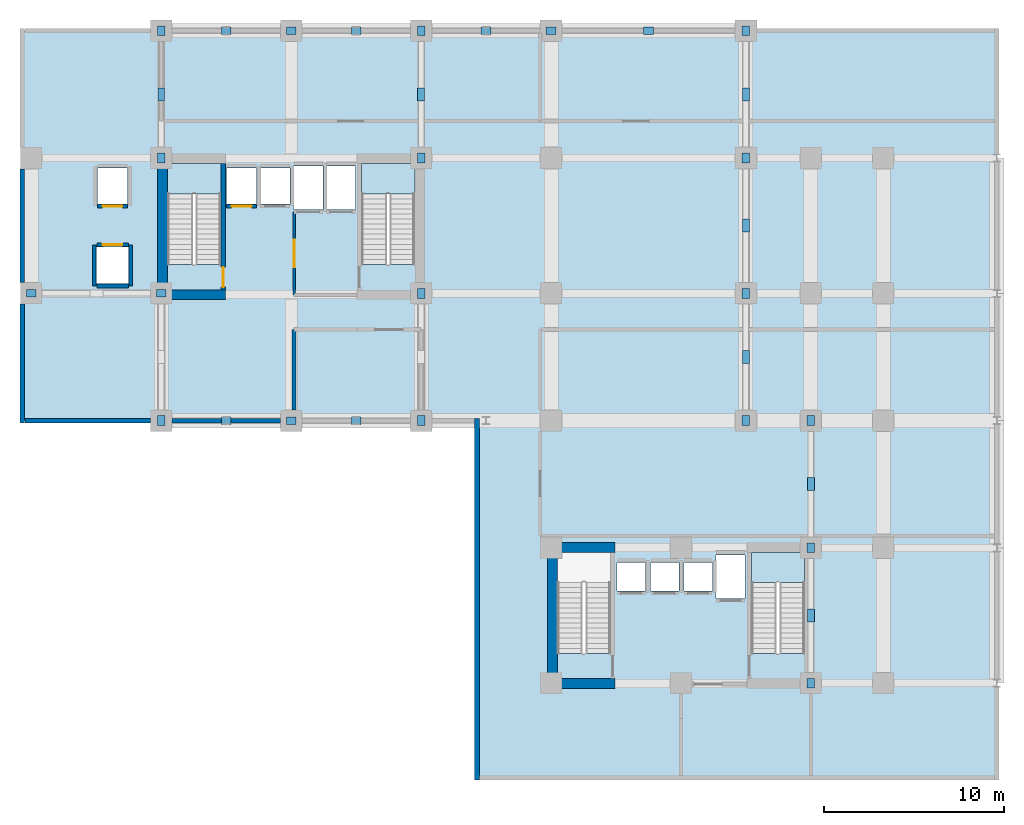
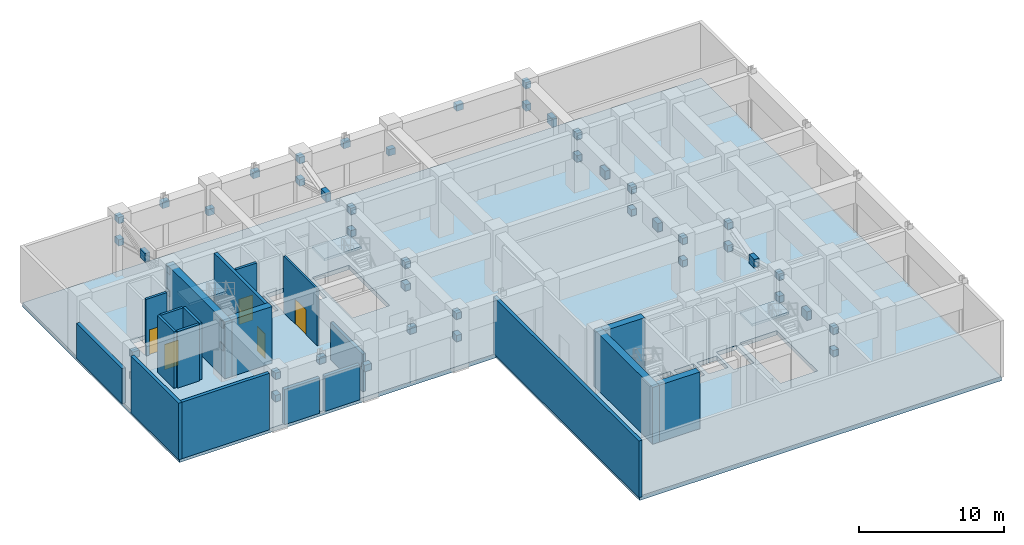
# One storey, part 3 of 8: 48 plates, 20 walls, 5 doors, 4 slabs, 5 openings, 3 elements without a shape of their own.
"""IFC4 building model written with IfcOpenShell, lengths in metres."""

from ifc_helpers import new_model, si_unit, direction, frame, frame_2d, origin, origin_2d, place, context, subcontext, project, spatial, polyline, rectangle, outline, extrude, source, transform, mapped, material, layer, layer_set, type_object, element, fill, aggregate, save


model = new_model("IFC4")

# Units and contexts
model_context = context("Model", 3, precision=1e-05, world=origin(), true_north=direction((0.0, 1.0)))
body_context = subcontext(model_context, "Body", "Model", "MODEL_VIEW")
ifc_project = project(units=[si_unit("LENGTHUNIT", "METRE"), si_unit("AREAUNIT", "SQUARE_METRE"), si_unit("VOLUMEUNIT", "CUBIC_METRE"), si_unit("PLANEANGLEUNIT", "RADIAN"), si_unit("MASSUNIT", "GRAM", prefix="KILO")], contexts=[model_context])

# Site, building, storey
site_placement = place(None, origin())
site = spatial("IfcSite", under=ifc_project, at=site_placement, CompositionType="ELEMENT")
building_placement = place(site_placement, origin())
building = spatial("IfcBuilding", under=site, at=building_placement, Name="Kaliganga Portal Commons", CompositionType="ELEMENT")
storey_placement = place(building_placement, frame((0.0, 0.0, 130.39990234375)))
storey = spatial("IfcBuildingStorey", under=building, at=storey_placement, Name="L33", CompositionType="ELEMENT", Elevation=130.39990234375)

# Slab
ifc_material_1 = material(Name="Concrete C60/75", Category="concrete")
ifc_layer_1 = layer(ifc_material_1, 0.360107421875)
ifc_layer_set_1 = layer_set([ifc_layer_1], Name="Concrete C60/75")
slab_type_1 = type_object("IfcSlabType", Name="SLB-OUTRIG-360", PredefinedType="FLOOR", material=ifc_layer_set_1)
slab_1_placement = place(storey_placement, frame((0.0, 0.0, -0.35986328125)))
element("IfcSlab", 1, at=slab_1_placement, inside=storey, type_object=slab_type_1, Name="Structural Floor Slab L33", PredefinedType="FLOOR", context=body_context, shape_type="SweptSolid", body=[
    extrude(outline(polyline([(31.89990234375, 1.800048828125), (60.699951171875, 1.800048828125), (60.699951171875, 43.199951171875), (6.699951171875, 43.199951171875), (6.699951171875, 21.60009765625), (31.89990234375, 21.60009765625), (31.89990234375, 1.800048828125)]), holes=[polyline([(14.75, 30.25390625), (14.75, 35.85009765625), (17.699951171875, 35.85009765625), (17.699951171875, 30.25390625), (14.75, 30.25390625)]), polyline([(25.5, 30.25390625), (25.5, 35.85009765625), (28.449951171875, 35.85009765625), (28.449951171875, 30.25390625), (25.5, 30.25390625)]), polyline([(36.35009765625, 8.7041015625), (36.35009765625, 14.300048828125), (39.300048828125, 14.300048828125), (39.300048828125, 8.7041015625), (36.35009765625, 8.7041015625)]), polyline([(47.10009765625, 8.7041015625), (47.10009765625, 14.300048828125), (50.050048828125, 14.300048828125), (50.050048828125, 8.7041015625), (47.10009765625, 8.7041015625)]), polyline([(18.014892578125, 33.614990234375), (18.014892578125, 35.5849609375), (19.68505859375, 35.5849609375), (19.68505859375, 33.614990234375), (18.014892578125, 33.614990234375)]), polyline([(19.864990234375, 33.614990234375), (19.864990234375, 35.5849609375), (21.534912109375, 35.5849609375), (21.534912109375, 33.614990234375), (19.864990234375, 33.614990234375)]), polyline([(10.81494140625, 29.18994140625), (10.81494140625, 31.2099609375), (12.5849609375, 31.2099609375), (12.5849609375, 29.18994140625), (10.81494140625, 29.18994140625)]), polyline([(10.864990234375, 33.614990234375), (10.864990234375, 35.5849609375), (12.534912109375, 35.5849609375), (12.534912109375, 33.614990234375), (10.864990234375, 33.614990234375)]), polyline([(21.739990234375, 33.2900390625), (21.739990234375, 35.7099609375), (23.360107421875, 35.7099609375), (23.360107421875, 33.2900390625), (21.739990234375, 33.2900390625)]), polyline([(23.5400390625, 33.2900390625), (23.5400390625, 35.7099609375), (25.159912109375, 35.7099609375), (25.159912109375, 33.2900390625), (23.5400390625, 33.2900390625)]), polyline([(39.6650390625, 12.1650390625), (39.6650390625, 13.735107421875), (41.235107421875, 13.735107421875), (41.235107421875, 12.1650390625), (39.6650390625, 12.1650390625)]), polyline([(41.514892578125, 12.1650390625), (41.514892578125, 13.735107421875), (43.0849609375, 13.735107421875), (43.0849609375, 12.1650390625), (41.514892578125, 12.1650390625)]), polyline([(43.364990234375, 12.1650390625), (43.364990234375, 13.735107421875), (44.93505859375, 13.735107421875), (44.93505859375, 12.1650390625), (43.364990234375, 12.1650390625)]), polyline([(45.139892578125, 11.739990234375), (45.139892578125, 14.159912109375), (46.760009765625, 14.159912109375), (46.760009765625, 11.739990234375), (45.139892578125, 11.739990234375)])]), origin(), (0.0, 0.0, 1.0), 0.35986328125),
])

# Stair, slab
ifc_material_2 = material(Name="Concrete C40/50", Category="concrete")
stair_type = type_object("IfcStairType", Name="ST-CORE-DOGLEG", PredefinedType="HALF_TURN_STAIR", material=ifc_material_2)
stair_1_placement = place(storey_placement, origin())
stair_1 = element("IfcStair", 2, at=stair_1_placement, inside=storey, type_object=stair_type, Name="L33 Protected Exit Stair ST-A1", PredefinedType="HALF_TURN_STAIR")
ifc_layer_2 = layer(ifc_material_2, 0.199951171875)
ifc_layer_set_2 = layer_set([ifc_layer_2], Name="Concrete C40/50")
slab_type_2 = type_object("IfcSlabType", Name="SLB-STAIR-LND", PredefinedType="LANDING", material=ifc_layer_set_2)
slab_2_placement = place(storey_placement, frame((0.0, 0.0, 2.400146484375)))
slab_2 = element("IfcSlab", 3, at=slab_2_placement, type_object=slab_type_2, Name="ST-A1 landing 1", PredefinedType="LANDING", context=body_context, shape_type="SweptSolid", body=[
    extrude(outline(polyline([(17.699951171875, 34.169921875), (17.699951171875, 35.85009765625), (14.75, 35.85009765625), (14.75, 34.169921875), (17.699951171875, 34.169921875)])), origin(), (0.0, 0.0, 1.0), 0.199951171875),
])
aggregate(stair_1, [slab_2])

stair_2_placement = place(storey_placement, origin())
stair_2 = element("IfcStair", 4, at=stair_2_placement, inside=storey, type_object=stair_type, Name="L33 Protected Exit Stair ST-A2", PredefinedType="HALF_TURN_STAIR")
slab_3_placement = place(storey_placement, frame((0.0, 0.0, 2.400146484375)))
slab_3 = element("IfcSlab", 5, at=slab_3_placement, type_object=slab_type_2, Name="ST-A2 landing 1", PredefinedType="LANDING", context=body_context, shape_type="SweptSolid", body=[
    extrude(outline(polyline([(28.449951171875, 34.169921875), (28.449951171875, 35.85009765625), (25.5, 35.85009765625), (25.5, 34.169921875), (28.449951171875, 34.169921875)])), origin(), (0.0, 0.0, 1.0), 0.199951171875),
])
aggregate(stair_2, [slab_3])

stair_3_placement = place(storey_placement, origin())
stair_3 = element("IfcStair", 6, at=stair_3_placement, inside=storey, type_object=stair_type, Name="L33 Protected Exit Stair ST-B2", PredefinedType="HALF_TURN_STAIR")
slab_4_placement = place(storey_placement, frame((0.0, 0.0, 2.400146484375)))
slab_4 = element("IfcSlab", 7, at=slab_4_placement, type_object=slab_type_2, Name="ST-B2 landing 1", PredefinedType="LANDING", context=body_context, shape_type="SweptSolid", body=[
    extrude(outline(polyline([(50.050048828125, 12.6201171875), (50.050048828125, 14.300048828125), (47.10009765625, 14.300048828125), (47.10009765625, 12.6201171875), (50.050048828125, 12.6201171875)])), origin(), (0.0, 0.0, 1.0), 0.199951171875),
])
aggregate(stair_3, [slab_4])

# Plates
ifc_material_3 = material(Name="Structural steel S460M", Category="steel")
ifc_layer_3 = layer(ifc_material_3, 0.031982421875)
ifc_layer_set_3 = layer_set([ifc_layer_3], Name="Structural steel S460M")
plate_type = type_object("IfcPlateType", Name="PLT-GUSSET-32", PredefinedType="USERDEFINED", material=ifc_layer_set_3)
shared_shape_1 = source(origin(), body_context, "Body", "SweptSolid", [
    extrude(rectangle(XDim=0.5400390625, YDim=0.419921875, at=origin_2d()), origin(), (0.0, 0.0, 1.0), 0.5400390625),
])
for number, where, z_axis, x_axis, name in (
    (8, (14.39990234375, 28.64990234375, 2.280029296875), (0.0, 0.0, 1.0), (-1.0, 0.0, 0.0), "Brace End Gusset Plate PLT-ENDG-L33-O01A0"),
    (9, (7.199951171875, 28.64990234375, 4.16015625), (0.0, 0.0, 1.0), (-1.0, 0.0, 0.0), "Brace End Gusset Plate PLT-ENDG-L33-O01A1"),
    (10, (14.39990234375, 28.64990234375, 4.16015625), (0.0, 0.0, 1.0), (-1.0, 0.0, 0.0), "Brace End Gusset Plate PLT-ENDG-L33-O01B0"),
    (11, (7.199951171875, 28.64990234375, 2.280029296875), (0.0, 0.0, 1.0), (-1.0, 0.0, 0.0), "Brace End Gusset Plate PLT-ENDG-L33-O01B1"),
    (12, (14.39990234375, 21.60009765625, 4.16015625), (0.0, 0.0, 1.0), (0.0, -1.0, 0.0), "Brace End Gusset Plate PLT-ENDG-L33-O02A1"),
    (13, (14.39990234375, 21.60009765625, 2.280029296875), (0.0, 0.0, 1.0), (0.0, -1.0, 0.0), "Brace End Gusset Plate PLT-ENDG-L33-O02B1"),
    (14, (28.800048828125, 28.64990234375, 2.280029296875), (0.0, 0.0, 1.0), (0.0, -1.0, 0.0), "Brace End Gusset Plate PLT-ENDG-L33-O03A0"),
    (15, (28.800048828125, 21.60009765625, 4.16015625), (0.0, 0.0, 1.0), (0.0, -1.0, 0.0), "Brace End Gusset Plate PLT-ENDG-L33-O03A1"),
    (16, (28.800048828125, 28.64990234375, 4.16015625), (0.0, 0.0, 1.0), (0.0, -1.0, 0.0), "Brace End Gusset Plate PLT-ENDG-L33-O03B0"),
    (17, (28.800048828125, 21.60009765625, 2.280029296875), (0.0, 0.0, 1.0), (0.0, -1.0, 0.0), "Brace End Gusset Plate PLT-ENDG-L33-O03B1"),
    (18, (14.39990234375, 36.14990234375, 2.280029296875), (0.0, 0.0, 1.0), (0.0, 1.0, 0.0), "Brace End Gusset Plate PLT-ENDG-L33-O04A0"),
    (19, (14.39990234375, 43.199951171875, 4.16015625), (0.0, 0.0, 1.0), (0.0, 1.0, 0.0), "Brace End Gusset Plate PLT-ENDG-L33-O04A1"),
    (20, (14.39990234375, 36.14990234375, 4.16015625), (0.0, 0.0, 1.0), (0.0, 1.0, 0.0), "Brace End Gusset Plate PLT-ENDG-L33-O04B0"),
    (21, (14.39990234375, 43.199951171875, 2.280029296875), (0.0, 0.0, 1.0), (0.0, 1.0, 0.0), "Brace End Gusset Plate PLT-ENDG-L33-O04B1"),
    (22, (28.800048828125, 36.14990234375, 2.280029296875), (0.0, 0.0, 1.0), (0.0, 1.0, 0.0), "Brace End Gusset Plate PLT-ENDG-L33-O05A0"),
    (23, (28.800048828125, 43.199951171875, 4.16015625), (0.0, 0.0, 1.0), (0.0, 1.0, 0.0), "Brace End Gusset Plate PLT-ENDG-L33-O05A1"),
    (24, (28.800048828125, 36.14990234375, 4.16015625), (0.0, 0.0, 1.0), (0.0, 1.0, 0.0), "Brace End Gusset Plate PLT-ENDG-L33-O05B0"),
    (25, (28.800048828125, 43.199951171875, 2.280029296875), (0.0, 0.0, 1.0), (0.0, 1.0, 0.0), "Brace End Gusset Plate PLT-ENDG-L33-O05B1"),
    (26, (46.800048828125, 21.60009765625, 2.280029296875), (0.0, 0.0, 1.0), (0.0, 1.0, 0.0), "Brace End Gusset Plate PLT-ENDG-L33-O06A0"),
    (27, (46.800048828125, 28.64990234375, 4.16015625), (0.0, 0.0, 1.0), (0.0, 1.0, 0.0), "Brace End Gusset Plate PLT-ENDG-L33-O06A1"),
    (28, (46.800048828125, 21.60009765625, 4.16015625), (0.0, 0.0, 1.0), (0.0, 1.0, 0.0), "Brace End Gusset Plate PLT-ENDG-L33-O06B0"),
    (29, (46.800048828125, 28.64990234375, 2.280029296875), (0.0, 0.0, 1.0), (0.0, 1.0, 0.0), "Brace End Gusset Plate PLT-ENDG-L33-O06B1"),
    (30, (46.800048828125, 36.14990234375, 4.16015625), (0.0, 0.0, 1.0), (0.0, 1.0, 0.0), "Brace End Gusset Plate PLT-ENDG-L33-O07A1"),
    (31, (46.800048828125, 36.14990234375, 2.280029296875), (0.0, 0.0, 1.0), (0.0, 1.0, 0.0), "Brace End Gusset Plate PLT-ENDG-L33-O07B1"),
    (32, (46.800048828125, 43.199951171875, 4.16015625), (0.0, 0.0, 1.0), (0.0, 1.0, 0.0), "Brace End Gusset Plate PLT-ENDG-L33-O08A1"),
    (33, (46.800048828125, 43.199951171875, 2.280029296875), (0.0, 0.0, 1.0), (0.0, 1.0, 0.0), "Brace End Gusset Plate PLT-ENDG-L33-O08B1"),
    (34, (50.39990234375, 7.050048828125, 2.280029296875), (0.0, 0.0, 1.0), (0.0, 1.0, 0.0), "Brace End Gusset Plate PLT-ENDG-L33-O09A0"),
    (35, (50.39990234375, 14.550048828125, 4.16015625), (0.0, 0.0, 1.0), (0.0, 1.0, 0.0), "Brace End Gusset Plate PLT-ENDG-L33-O09A1"),
    (36, (50.39990234375, 7.050048828125, 4.16015625), (0.0, 0.0, 1.0), (0.0, 1.0, 0.0), "Brace End Gusset Plate PLT-ENDG-L33-O09B0"),
    (37, (50.39990234375, 14.550048828125, 2.280029296875), (0.0, 0.0, 1.0), (0.0, 1.0, 0.0), "Brace End Gusset Plate PLT-ENDG-L33-O09B1"),
    (38, (50.39990234375, 21.60009765625, 4.16015625), (0.0, 0.0, 1.0), (0.0, 1.0, 0.0), "Brace End Gusset Plate PLT-ENDG-L33-O10A1"),
    (39, (50.39990234375, 21.60009765625, 2.280029296875), (0.0, 0.0, 1.0), (0.0, 1.0, 0.0), "Brace End Gusset Plate PLT-ENDG-L33-O10B1"),
    (40, (21.60009765625, 43.199951171875, 2.280029296875), (0.0, 0.0, 1.0), (1.0, 0.0, 0.0), "Brace End Gusset Plate PLT-ENDG-L33-B01R"),
    (41, (18.0, 43.199951171875, 4.16015625), (0.0, 0.0, 1.0), (1.0, 0.0, 0.0), "Brace End Gusset Plate PLT-ENDG-L33-B01M"),
    (42, (25.199951171875, 43.199951171875, 4.16015625), (0.0, 0.0, 1.0), (1.0, 0.0, 0.0), "Brace End Gusset Plate PLT-ENDG-L33-B02M"),
    (43, (36.0, 43.199951171875, 2.280029296875), (0.0, 0.0, 1.0), (1.0, 0.0, 0.0), "Brace End Gusset Plate PLT-ENDG-L33-B03R"),
    (44, (32.39990234375, 43.199951171875, 4.16015625), (0.0, 0.0, 1.0), (1.0, 0.0, 0.0), "Brace End Gusset Plate PLT-ENDG-L33-B03M"),
    (45, (41.39990234375, 43.199951171875, 4.16015625), (0.0, 0.0, 1.0), (1.0, 0.0, 0.0), "Brace End Gusset Plate PLT-ENDG-L33-B04M"),
    (46, (21.60009765625, 21.60009765625, 2.280029296875), (0.0, 0.0, 1.0), (1.0, 0.0, 0.0), "Brace End Gusset Plate PLT-ENDG-L33-B05R"),
    (47, (18.0, 21.60009765625, 4.16015625), (0.0, 0.0, 1.0), (1.0, 0.0, 0.0), "Brace End Gusset Plate PLT-ENDG-L33-B05M"),
    (48, (25.199951171875, 21.60009765625, 4.16015625), (0.0, 0.0, 1.0), (1.0, 0.0, 0.0), "Brace End Gusset Plate PLT-ENDG-L33-B06M"),
):
    element("IfcPlate", number, at=place(storey_placement, frame(where, z_axis=z_axis, x_axis=x_axis)), inside=storey, type_object=plate_type, Name=name, ObjectType="GUSSET PLATE", PredefinedType="USERDEFINED", context=body_context, shape_type="MappedRepresentation", body=[
        mapped(shared_shape_1, transform((0.0, 0.0, 0.0), x_axis=(1.0, 0.0, 0.0), y_axis=(0.0, 1.0, 0.0), z_axis=(0.0, 0.0, 1.0), scale=1.0)),
    ])
shared_shape_2 = source(origin(), body_context, "Body", "SweptSolid", [
    extrude(rectangle(XDim=0.719970703125, YDim=0.3798828125, at=origin_2d()), origin(), (0.0, 0.0, 1.0), 0.719970703125),
])
for number, where, z_axis, x_axis, name in (
    (49, (14.39990234375, 39.675048828125, 3.1298828125), (0.0, 0.0, 1.0), (0.0, 1.0, 0.0), "Outrigger Crossing Gusset Plate GP-L33-04"),
    (50, (28.800048828125, 39.675048828125, 3.1298828125), (0.0, 0.0, 1.0), (0.0, 1.0, 0.0), "Outrigger Crossing Gusset Plate GP-L33-05"),
    (51, (46.800048828125, 25.125, 3.1298828125), (0.0, 0.0, 1.0), (0.0, 1.0, 0.0), "Outrigger Crossing Gusset Plate GP-L33-06"),
    (52, (46.800048828125, 32.39990234375, 3.1298828125), (0.0, 0.0, 1.0), (0.0, 1.0, 0.0), "Outrigger Crossing Gusset Plate GP-L33-07"),
    (53, (46.800048828125, 39.675048828125, 3.1298828125), (0.0, 0.0, 1.0), (0.0, 1.0, 0.0), "Outrigger Crossing Gusset Plate GP-L33-08"),
    (54, (50.39990234375, 10.800048828125, 3.1298828125), (0.0, 0.0, 1.0), (0.0, 1.0, 0.0), "Outrigger Crossing Gusset Plate GP-L33-09"),
    (55, (50.39990234375, 18.074951171875, 3.1298828125), (0.0, 0.0, 1.0), (0.0, 1.0, 0.0), "Outrigger Crossing Gusset Plate GP-L33-10"),
):
    element("IfcPlate", number, at=place(storey_placement, frame(where, z_axis=z_axis, x_axis=x_axis)), inside=storey, type_object=plate_type, Name=name, ObjectType="GUSSET PLATE", PredefinedType="USERDEFINED", context=body_context, shape_type="MappedRepresentation", body=[
        mapped(shared_shape_2, transform((0.0, 0.0, 0.0), x_axis=(1.0, 0.0, 0.0), y_axis=(0.0, 1.0, 0.0), z_axis=(0.0, 0.0, 1.0), scale=1.0)),
    ])

# Walls
ifc_layer_4 = layer(ifc_material_1, 0.550048828125)
ifc_layer_set_4 = layer_set([ifc_layer_4], Name="Concrete C60/75")
wall_type_1 = type_object("IfcWallType", Name="WL-CORE-550", PredefinedType="SHEAR", material=ifc_layer_set_4)
wall_1_placement = place(storey_placement, frame((14.47509765625, 28.300048828125, 0.0), z_axis=(0.0, 0.0, 1.0), x_axis=(0.0, 1.0, 0.0)))
element("IfcWall", 56, at=wall_1_placement, inside=storey, type_object=wall_type_1, Name="Core A West Shear Wall L33", PredefinedType="SHEAR", context=body_context, shape_type="SweptSolid", body=[
    extrude(rectangle(XDim=8.099853515625, YDim=0.550048828125, at=frame_2d((4.0498046875, 0.0))), origin(), (0.0, 0.0, 1.0), 4.780029296875),
])
wall_2_placement = place(storey_placement, frame((14.75, 28.574951171875, 0.0), z_axis=(0.0, 0.0, 1.0), x_axis=(1.0, 0.0, 0.0)))
element("IfcWall", 57, at=wall_2_placement, inside=storey, type_object=wall_type_1, Name="Core A S-West Shear Wall L33", PredefinedType="SHEAR", context=body_context, shape_type="SweptSolid", body=[
    extrude(rectangle(XDim=3.199951171875, YDim=0.550048828125, at=frame_2d((1.60009765625, 0.0))), origin(), (0.0, 0.0, 1.0), 4.780029296875),
])
wall_3_placement = place(storey_placement, frame((36.074951171875, 6.75, 0.0), z_axis=(0.0, 0.0, 1.0), x_axis=(0.0, 1.0, 0.0)))
element("IfcWall", 58, at=wall_3_placement, inside=storey, type_object=wall_type_1, Name="Core B West Shear Wall L33", PredefinedType="SHEAR", context=body_context, shape_type="SweptSolid", body=[
    extrude(rectangle(XDim=8.10009765625, YDim=0.550048828125, at=frame_2d((4.050048828125, 0.0))), origin(), (0.0, 0.0, 1.0), 4.780029296875),
])
for number, where, z_axis, x_axis, name in (
    (59, (36.35009765625, 7.02490234375, 0.0), (0.0, 0.0, 1.0), (1.0, 0.0, 0.0), "Core B S-West Shear Wall L33"),
    (60, (36.35009765625, 14.574951171875, 0.0), (0.0, 0.0, 1.0), (1.0, 0.0, 0.0), "Core B N-West Shear Wall L33"),
):
    element("IfcWall", number, at=place(storey_placement, frame(where, z_axis=z_axis, x_axis=x_axis)), inside=storey, type_object=wall_type_1, Name=name, PredefinedType="SHEAR", context=body_context, shape_type="SweptSolid", body=[
        extrude(rectangle(XDim=3.199951171875, YDim=0.550048828125, at=frame_2d((1.60009765625, 0.0))), origin(), (0.0, 0.0, 1.0), 4.780029296875),
    ])
ifc_material_4 = material(Name="Insulated Aluminium-Clad Spandrel Assembly", Category="aluminium")
ifc_layer_5 = layer(ifc_material_4, 0.260009765625)
ifc_layer_set_5 = layer_set([ifc_layer_5], Name="Insulated Aluminium-Clad Spandrel Assembly")
wall_type_2 = type_object("IfcWallType", Name="WL-EXT-SPAND-260", PredefinedType="STANDARD", material=ifc_layer_set_5)
wall_4_placement = place(storey_placement, frame((6.699951171875, 29.2509765625, 0.0), z_axis=(0.0, 0.0, 1.0), x_axis=(0.0, 1.0, 0.0)))
element("IfcWall", 61, at=wall_4_placement, inside=storey, type_object=wall_type_2, Name="Exterior Envelope Wall L33 P1-E03-S2", PredefinedType="STANDARD", context=body_context, shape_type="SweptSolid", body=[
    extrude(rectangle(XDim=6.298095703125, YDim=0.260009765625, at=frame_2d((3.14892578125, 0.0))), origin(), (0.0, 0.0, 1.0), 2.960205078125),
])
wall_5_placement = place(storey_placement, frame((6.699951171875, 21.469970703125, 0.0), z_axis=(0.0, 0.0, 1.0), x_axis=(0.0, 1.0, 0.0)))
element("IfcWall", 62, at=wall_5_placement, inside=storey, type_object=wall_type_2, Name="Exterior Envelope Wall L33 P1-E03-S3", PredefinedType="STANDARD", context=body_context, shape_type="SweptSolid", body=[
    extrude(rectangle(XDim=6.5791015625, YDim=0.260009765625, at=frame_2d((3.28955078125, 0.0))), origin(), (0.0, 0.0, 1.0), 4.760009765625),
])
wall_6_placement = place(storey_placement, frame((13.799072265625, 21.60009765625, 0.0), z_axis=(0.0, 0.0, 1.0), x_axis=(-1.0, 0.0, 0.0)))
element("IfcWall", 63, at=wall_6_placement, inside=storey, type_object=wall_type_2, Name="Exterior Envelope Wall L33 P1-E04-S1", PredefinedType="STANDARD", context=body_context, shape_type="SweptSolid", body=[
    extrude(rectangle(XDim=6.964111328125, YDim=0.260009765625, at=frame_2d((3.48193359375, 0.0))), origin(), (0.0, 0.0, 1.0), 4.760009765625),
])
for number, where, z_axis, x_axis, name in (
    (64, (17.79443359375, 21.60009765625, 0.0), (0.0, 0.0, 1.0), (-1.0, 0.0, 0.0), "Exterior Envelope Wall L33 P1-E04-S2"),
    (65, (20.9990234375, 21.60009765625, 0.0), (0.0, 0.0, 1.0), (-1.0, 0.0, 0.0), "Exterior Envelope Wall L33 P1-E04-S3"),
):
    element("IfcWall", number, at=place(storey_placement, frame(where, z_axis=z_axis, x_axis=x_axis)), inside=storey, type_object=wall_type_2, Name=name, PredefinedType="STANDARD", context=body_context, shape_type="SweptSolid", body=[
        extrude(rectangle(XDim=2.79345703125, YDim=0.260009765625, at=frame_2d((1.396728515625, 0.0))), origin(), (0.0, 0.0, 1.0), 2.960205078125),
    ])
wall_7_placement = place(storey_placement, frame((31.89990234375, 1.669921875, 0.0), z_axis=(0.0, 0.0, 1.0), x_axis=(0.0, 1.0, 0.0)))
element("IfcWall", 66, at=wall_7_placement, inside=storey, type_object=wall_type_2, Name="Exterior Envelope Wall L33 P1-E05-S1", PredefinedType="STANDARD", context=body_context, shape_type="SweptSolid", body=[
    extrude(rectangle(XDim=20.06005859375, YDim=0.260009765625, at=frame_2d((10.030029296875, 0.0))), origin(), (0.0, 0.0, 1.0), 4.760009765625),
])

# Wall, opening, door
ifc_material_5 = material(Name="Fire-Rated Gypsum Board on Steel Stud", Category="steel")
ifc_layer_6 = layer(ifc_material_5, 0.14990234375)
ifc_layer_set_6 = layer_set([ifc_layer_6], Name="Fire-Rated Gypsum Board on Steel Stud")
wall_type_3 = type_object("IfcWallType", Name="WL-PART-CORR-150", PredefinedType="PARTITIONING", material=ifc_layer_set_6)
wall_8_placement = place(storey_placement, frame((21.760009765625, 28.56005859375, 0.0), z_axis=(0.0, 0.0, 1.0), x_axis=(0.0, 1.0, 0.0)))
wall_8 = element("IfcWall", 67, at=wall_8_placement, inside=storey, type_object=wall_type_3, Name="Interior Partition L33-016", PredefinedType="PARTITIONING", context=body_context, shape_type="SweptSolid", body=[
    extrude(rectangle(XDim=4.599853515625, YDim=0.14990234375, at=frame_2d((2.2998046875, 0.0))), origin(), (0.0, 0.0, 1.0), 4.760009765625),
])
opening_1_placement = place(wall_8_placement, frame((1.550048828125, 0.0, 0.0)))
opening_1 = element("IfcOpeningElement", 68, at=opening_1_placement, cuts=wall_8, Name="Opening FD-01", PredefinedType="OPENING", context=body_context, shape_type="SweptSolid", body=[
    extrude(rectangle(XDim=1.5, YDim=2.10009765625, at=frame_2d((0.75, 1.050048828125))), frame((0.0, 0.0849609375, 0.0), z_axis=(0.0, -1.0, 0.0), x_axis=(1.0, 0.0, 0.0)), (0.0, 0.0, 1.0), 0.169921875),
])
ifc_material_6 = material(Name="Fire-Rated Hardwood and Georgian-Wired Vision Panel", Category="wood")
door_type_1 = type_object("IfcDoorType", Name="DR-LOBBY-1500", OperationType="DOUBLE_DOOR_SINGLE_SWING", PredefinedType="DOOR", material=ifc_material_6)
door_1_placement = place(opening_1_placement, origin())
door_1 = element("IfcDoor", 69, at=door_1_placement, inside=storey, type_object=door_type_1, Name="Interior Door L33-FFLOB_A", OperationType="DOUBLE_DOOR_SINGLE_SWING", OverallHeight=2.10009765625, OverallWidth=1.5, PredefinedType="DOOR", context=body_context, shape_type="SweptSolid", body=[
    extrude(rectangle(XDim=1.5, YDim=2.10009765625, at=frame_2d((0.75, 1.050048828125))), frame((0.0, 0.02490234375, 0.0), z_axis=(0.0, -1.0, 0.0), x_axis=(1.0, 0.0, 0.0)), (0.0, 0.0, 1.0), 0.050048828125),
])
fill(opening_1, door_1)

# Wall
ifc_material_7 = material(Name="Lightweight blockwork masonry", Category="masonry")
ifc_layer_7 = layer(ifc_material_7, 0.215087890625)
ifc_layer_set_7 = layer_set([ifc_layer_7], Name="Lightweight blockwork masonry")
wall_type_4 = type_object("IfcWallType", Name="WL-PART-PLANT-215", PredefinedType="PARTITIONING", material=ifc_layer_set_7)
wall_9_placement = place(storey_placement, frame((21.760009765625, 22.199951171875, 0.0), z_axis=(0.0, 0.0, 1.0), x_axis=(0.0, 1.0, 0.0)))
element("IfcWall", 70, at=wall_9_placement, inside=storey, type_object=wall_type_4, Name="Interior Partition L33-012", PredefinedType="PARTITIONING", context=body_context, shape_type="SweptSolid", body=[
    extrude(rectangle(XDim=4.43994140625, YDim=0.215087890625, at=frame_2d((2.219970703125, 0.0))), origin(), (0.0, 0.0, 1.0), 3.16015625),
])

# Wall, opening, door
ifc_material_8 = material(Name="Fire-Rated Shaftwall Masonry Assembly", Category="masonry")
ifc_layer_8 = layer(ifc_material_8, 0.199951171875)
ifc_layer_set_8 = layer_set([ifc_layer_8], Name="Fire-Rated Shaftwall Masonry Assembly")
wall_type_5 = type_object("IfcWallType", Name="WL-SHAFT-200", PredefinedType="PARTITIONING", material=ifc_layer_set_8)
wall_10_placement = place(storey_placement, frame((18.02490234375, 33.485107421875, 0.0), z_axis=(0.0, 0.0, 1.0), x_axis=(1.0, 0.0, 0.0)))
wall_10 = element("IfcWall", 71, at=wall_10_placement, inside=storey, type_object=wall_type_5, Name="Lift PL-A1 Hoistway Shaft Wall L33-S", PredefinedType="PARTITIONING", context=body_context, shape_type="SweptSolid", body=[
    extrude(rectangle(XDim=1.650146484375, YDim=0.199951171875, at=frame_2d((0.8251953125, 0.0))), origin(), (0.0, 0.0, 1.0), 4.760009765625),
])
opening_2_placement = place(wall_10_placement, frame((0.27490234375, 0.0, 0.0)))
opening_2 = element("IfcOpeningElement", 72, at=opening_2_placement, cuts=wall_10, Name="Opening LD-01", PredefinedType="OPENING", context=body_context, shape_type="SweptSolid", body=[
    extrude(rectangle(XDim=1.10009765625, YDim=2.1201171875, at=frame_2d((0.550048828125, 1.06005859375))), frame((0.0, 0.10986328125, 0.0), z_axis=(0.0, -1.0, 0.0), x_axis=(1.0, 0.0, 0.0)), (0.0, 0.0, 1.0), 0.219970703125),
])
ifc_material_9 = material(Name="Brushed Stainless Steel 316 Lift Landing Door", Category="steel")
door_type_2 = type_object("IfcDoorType", Name="DR-LIFT-1100", OperationType="SLIDING_TO_LEFT", PredefinedType="DOOR", material=ifc_material_9)
door_2_placement = place(opening_2_placement, origin())
door_2 = element("IfcDoor", 73, at=door_2_placement, inside=storey, type_object=door_type_2, Name="Lift PL-A1 Sliding Landing Door L33", OperationType="SLIDING_TO_LEFT", OverallHeight=2.1201171875, OverallWidth=1.10009765625, PredefinedType="DOOR", context=body_context, shape_type="SweptSolid", body=[
    extrude(rectangle(XDim=1.10009765625, YDim=2.1201171875, at=frame_2d((0.550048828125, 1.06005859375))), frame((0.0, 0.02490234375, 0.0), z_axis=(0.0, -1.0, 0.0), x_axis=(1.0, 0.0, 0.0)), (0.0, 0.0, 1.0), 0.050048828125),
])
fill(opening_2, door_2)

# Wall
wall_11_placement = place(storey_placement, frame((10.824951171875, 29.06005859375, 0.0), z_axis=(0.0, 0.0, 1.0), x_axis=(1.0, 0.0, 0.0)))
element("IfcWall", 74, at=wall_11_placement, inside=storey, type_object=wall_type_5, Name="Lift SH-1 Hoistway Shaft Wall L33-S", PredefinedType="PARTITIONING", context=body_context, shape_type="SweptSolid", body=[
    extrude(rectangle(XDim=1.75, YDim=0.199951171875, at=frame_2d((0.875, 0.0))), origin(), (0.0, 0.0, 1.0), 4.760009765625),
])

# Wall, opening, door
wall_12_placement = place(storey_placement, frame((10.824951171875, 31.340087890625, 0.0), z_axis=(0.0, 0.0, 1.0), x_axis=(1.0, 0.0, 0.0)))
wall_12 = element("IfcWall", 75, at=wall_12_placement, inside=storey, type_object=wall_type_5, Name="Lift SH-1 Hoistway Shaft Wall L33-N", PredefinedType="PARTITIONING", context=body_context, shape_type="SweptSolid", body=[
    extrude(rectangle(XDim=1.75, YDim=0.199951171875, at=frame_2d((0.875, 0.0))), origin(), (0.0, 0.0, 1.0), 4.760009765625),
])
opening_3_placement = place(wall_12_placement, frame((0.324951171875, 0.0, 0.0)))
opening_3 = element("IfcOpeningElement", 76, at=opening_3_placement, cuts=wall_12, Name="Opening LD-01", PredefinedType="OPENING", context=body_context, shape_type="SweptSolid", body=[
    extrude(rectangle(XDim=1.10009765625, YDim=2.1201171875, at=frame_2d((0.550048828125, 1.06005859375))), frame((0.0, 0.10986328125, 0.0), z_axis=(0.0, -1.0, 0.0), x_axis=(1.0, 0.0, 0.0)), (0.0, 0.0, 1.0), 0.219970703125),
])
door_3_placement = place(opening_3_placement, origin())
door_3 = element("IfcDoor", 77, at=door_3_placement, inside=storey, type_object=door_type_2, Name="Lift SH-1 Sliding Landing Door L33", OperationType="SLIDING_TO_LEFT", OverallHeight=2.1201171875, OverallWidth=1.10009765625, PredefinedType="DOOR", context=body_context, shape_type="SweptSolid", body=[
    extrude(rectangle(XDim=1.10009765625, YDim=2.1201171875, at=frame_2d((0.550048828125, 1.06005859375))), frame((0.0, 0.02490234375, 0.0), z_axis=(0.0, -1.0, 0.0), x_axis=(1.0, 0.0, 0.0)), (0.0, 0.0, 1.0), 0.050048828125),
])
fill(opening_3, door_3)

# Walls
for number, where, z_axis, x_axis, name in (
    (78, (10.68505859375, 29.06005859375, 0.0), (0.0, 0.0, 1.0), (0.0, 1.0, 0.0), "Lift SH-1 Hoistway Shaft Wall L33-W"),
    (79, (12.715087890625, 29.06005859375, 0.0), (0.0, 0.0, 1.0), (0.0, 1.0, 0.0), "Lift SH-1 Hoistway Shaft Wall L33-E"),
):
    element("IfcWall", number, at=place(storey_placement, frame(where, z_axis=z_axis, x_axis=x_axis)), inside=storey, type_object=wall_type_5, Name=name, PredefinedType="PARTITIONING", context=body_context, shape_type="SweptSolid", body=[
        extrude(rectangle(XDim=2.280029296875, YDim=0.199951171875, at=frame_2d((1.14013671875, 0.0))), origin(), (0.0, 0.0, 1.0), 4.760009765625),
    ])

# Wall, opening, door
wall_13_placement = place(storey_placement, frame((10.875, 33.485107421875, 0.0), z_axis=(0.0, 0.0, 1.0), x_axis=(1.0, 0.0, 0.0)))
wall_13 = element("IfcWall", 80, at=wall_13_placement, inside=storey, type_object=wall_type_5, Name="Lift PL-OBS Hoistway Shaft Wall L33-S", PredefinedType="PARTITIONING", context=body_context, shape_type="SweptSolid", body=[
    extrude(rectangle(XDim=1.64990234375, YDim=0.199951171875, at=frame_2d((0.824951171875, 0.0))), origin(), (0.0, 0.0, 1.0), 4.760009765625),
])
opening_4_placement = place(wall_13_placement, frame((0.27490234375, 0.0, 0.0)))
opening_4 = element("IfcOpeningElement", 81, at=opening_4_placement, cuts=wall_13, Name="Opening LD-01", PredefinedType="OPENING", context=body_context, shape_type="SweptSolid", body=[
    extrude(rectangle(XDim=1.10009765625, YDim=2.1201171875, at=frame_2d((0.550048828125, 1.06005859375))), frame((0.0, 0.10986328125, 0.0), z_axis=(0.0, -1.0, 0.0), x_axis=(1.0, 0.0, 0.0)), (0.0, 0.0, 1.0), 0.219970703125),
])
door_4_placement = place(opening_4_placement, origin())
door_4 = element("IfcDoor", 82, at=door_4_placement, inside=storey, type_object=door_type_2, Name="Lift PL-OBS Sliding Landing Door L33", OperationType="SLIDING_TO_LEFT", OverallHeight=2.1201171875, OverallWidth=1.10009765625, PredefinedType="DOOR", context=body_context, shape_type="SweptSolid", body=[
    extrude(rectangle(XDim=1.10009765625, YDim=2.1201171875, at=frame_2d((0.550048828125, 1.06005859375))), frame((0.0, 0.02490234375, 0.0), z_axis=(0.0, -1.0, 0.0), x_axis=(1.0, 0.0, 0.0)), (0.0, 0.0, 1.0), 0.050048828125),
])
fill(opening_4, door_4)

ifc_material_10 = material(Name="Concrete C50/60", Category="concrete")
ifc_layer_9 = layer(ifc_material_10, 0.25)
ifc_layer_set_9 = layer_set([ifc_layer_9], Name="Concrete C50/60")
wall_type_6 = type_object("IfcWallType", Name="WL-STAIR-250", PredefinedType="SHEAR", material=ifc_layer_set_9)
wall_14_placement = place(storey_placement, frame((17.824951171875, 28.85009765625, 0.0), z_axis=(0.0, 0.0, 1.0), x_axis=(0.0, 1.0, 0.0)))
wall_14 = element("IfcWall", 83, at=wall_14_placement, inside=storey, type_object=wall_type_6, Name="Stair A1 Enclosure Shear Wall L33", PredefinedType="SHEAR", context=body_context, shape_type="SweptSolid", body=[
    extrude(rectangle(XDim=7.0, YDim=0.25, at=frame_2d((3.5, 0.0))), origin(), (0.0, 0.0, 1.0), 4.780029296875),
])
opening_5_placement = place(wall_14_placement, frame((0.14990234375, 0.0, 0.0)))
opening_5 = element("IfcOpeningElement", 84, at=opening_5_placement, cuts=wall_14, Name="Opening SD-01", PredefinedType="OPENING", context=body_context, shape_type="SweptSolid", body=[
    extrude(rectangle(XDim=1.10009765625, YDim=2.080078125, at=frame_2d((0.550048828125, 1.0400390625))), frame((0.0, 0.135009765625, 0.0), z_axis=(0.0, -1.0, 0.0), x_axis=(1.0, 0.0, 0.0)), (0.0, 0.0, 1.0), 0.27001953125),
])
ifc_material_11 = material(Name="Galvanized Steel Fire Door Leaf and Frame", Category="steel")
door_type_3 = type_object("IfcDoorType", Name="DR-STAIR-1100", OperationType="NOTDEFINED", PredefinedType="DOOR", material=ifc_material_11)
door_5_placement = place(opening_5_placement, origin())
door_5 = element("IfcDoor", 85, at=door_5_placement, inside=storey, type_object=door_type_3, Name="Protected Stair ST-A1 Fire Door L33", OperationType="SINGLE_SWING_LEFT", OverallHeight=2.080078125, OverallWidth=1.10009765625, PredefinedType="DOOR", context=body_context, shape_type="SweptSolid", body=[
    extrude(rectangle(XDim=1.10009765625, YDim=2.080078125, at=frame_2d((0.550048828125, 1.0400390625))), frame((0.0, 0.02490234375, 0.0), z_axis=(0.0, -1.0, 0.0), x_axis=(1.0, 0.0, 0.0)), (0.0, 0.0, 1.0), 0.050048828125),
])
fill(opening_5, door_5)

save(model, "model.ifc")
